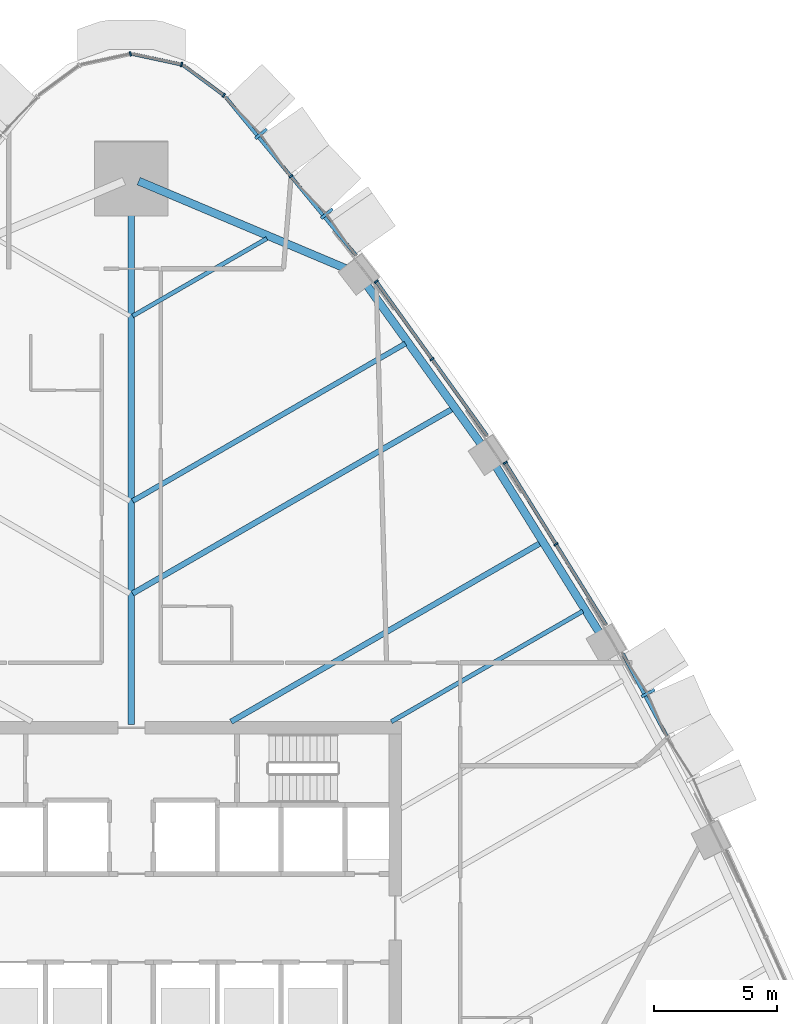
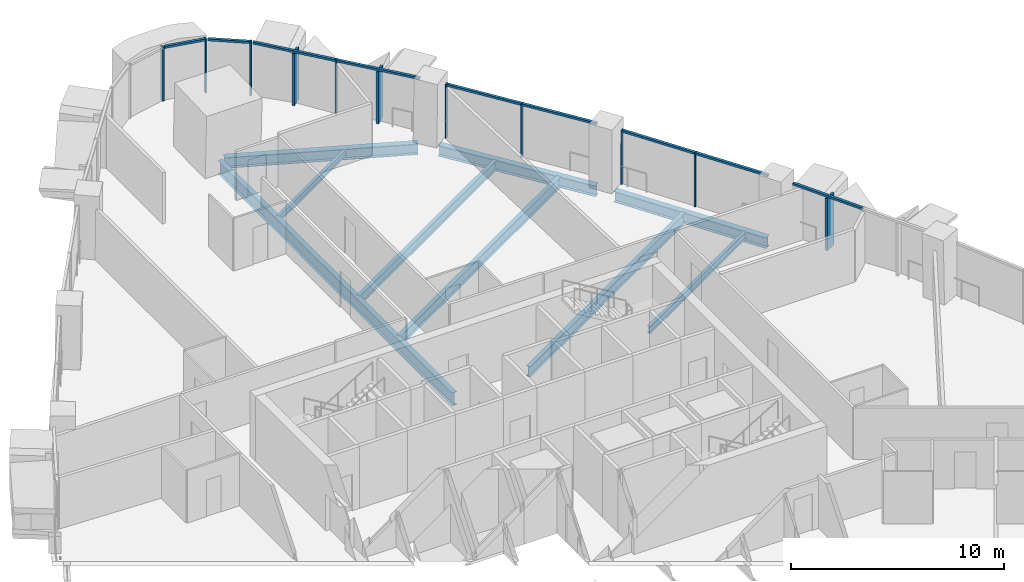
# One storey, part 7 of 18: 20 members, 9 beams, 7 elements without a shape of their own.
"""IFC4 building model written with IfcOpenShell, lengths in metres."""

from ifc_helpers import new_model, si_unit, direction, frame, origin, origin_2d, place, context, subcontext, project, spatial, rectangle, i_section, extrude, material, layer, layer_set, material_profile, profile_set, type_object, element, aggregate, save


model = new_model("IFC4")

# Units and contexts
model_context = context("Model", 3, precision=1e-05, world=origin(), true_north=direction((0.0, 1.0)))
body_context = subcontext(model_context, "Body", "Model", "MODEL_VIEW")
ifc_project = project(units=[si_unit("LENGTHUNIT", "METRE"), si_unit("AREAUNIT", "SQUARE_METRE"), si_unit("VOLUMEUNIT", "CUBIC_METRE"), si_unit("PLANEANGLEUNIT", "RADIAN"), si_unit("MASSUNIT", "GRAM", prefix="KILO")], contexts=[model_context])

# Site, building, storey
site_placement = place(None, origin())
site = spatial("IfcSite", under=ifc_project, at=site_placement, CompositionType="ELEMENT")
building_placement = place(site_placement, origin())
building = spatial("IfcBuilding", under=site, at=building_placement, Name="Sierra Prisma Convention Tower", CompositionType="ELEMENT")
storey_placement = place(building_placement, frame((0.0, 0.0, 85.0)))
storey = spatial("IfcBuildingStorey", under=building, at=storey_placement, Name="L17", CompositionType="ELEMENT", Elevation=85.0)

# Curtain wall, member
ifc_material_1 = material(Name="Aluminium and glass curtain wall", Category="aluminium")
ifc_layer_1 = layer(ifc_material_1, 0.179931640625)
ifc_layer_set_1 = layer_set([ifc_layer_1], Name="CW-2 Faceted crystal curtain wall")
curtain_wall_type_1 = type_object("IfcCurtainWallType", Name="CW-2 Faceted crystal curtain wall", PredefinedType="NOTDEFINED", material=ifc_layer_set_1)
curtain_wall_1_placement = place(storey_placement, origin())
curtain_wall_1 = element("IfcCurtainWall", 1, at=curtain_wall_1_placement, inside=storey, type_object=curtain_wall_type_1, Name="CW-2 NE3 L17", PredefinedType="NOTDEFINED")
ifc_material_2 = material(Name="Aluminium 6063-T6 bronze anodised", Category="aluminium")
ifc_material_profile_1 = material_profile(ifc_material_2, rectangle(XDim=0.1201171875, YDim=0.60009765625, at=origin_2d()), Name="ALU RIDGE BLADE 120x600")
ifc_profile_set_1 = profile_set([ifc_material_profile_1], Name="Aluminium 6063-T6 bronze anodised")
member_type_1 = type_object("IfcMemberType", Name="CW hip bronze", PredefinedType="MULLION", material=ifc_profile_set_1)
member_1_placement = place(storey_placement, frame((21.0517578125, 9.161376953125, 0.0), z_axis=(0.0, 0.0, 1.0), x_axis=(-0.470993707752, 0.882136569505, 0.0)))
member_1 = element("IfcMember", 2, at=member_1_placement, type_object=member_type_1, Name="CW-2 ridge NE3.2", PredefinedType="MULLION", context=body_context, shape_type="SweptSolid", body=[
    extrude(rectangle(XDim=0.1201171875, YDim=0.60009765625, at=origin_2d()), origin(), (0.0, 0.0, 1.0), 2.97998046875),
])

# Curtain wall, members
curtain_wall_2_placement = place(storey_placement, origin())
curtain_wall_2 = element("IfcCurtainWall", 3, at=curtain_wall_2_placement, inside=storey, type_object=curtain_wall_type_1, Name="CW-2 NE6 L17", PredefinedType="NOTDEFINED")
member_2_placement = place(storey_placement, frame((7.966552734375, 28.70068359375, 0.0), z_axis=(0.0, 0.0, 1.0), x_axis=(-0.636157701019, 0.771559057645, 0.0)))
member_2 = element("IfcMember", 4, at=member_2_placement, type_object=member_type_1, Name="CW-2 ridge NE6.1", PredefinedType="MULLION", context=body_context, shape_type="SweptSolid", body=[
    extrude(rectangle(XDim=0.1201171875, YDim=0.60009765625, at=origin_2d()), origin(), (0.0, 0.0, 1.0), 2.97998046875),
])
member_3_placement = place(storey_placement, frame((5.286376953125, 31.951171875, 0.0), z_axis=(0.0, 0.0, 1.0), x_axis=(-0.636157701019, 0.771559057645, 0.0)))
member_3 = element("IfcMember", 5, at=member_3_placement, type_object=member_type_1, Name="CW-2 ridge NE6.2", PredefinedType="MULLION", context=body_context, shape_type="SweptSolid", body=[
    extrude(rectangle(XDim=0.1201171875, YDim=0.60009765625, at=origin_2d()), origin(), (0.0, 0.0, 1.0), 2.97998046875),
])

ifc_material_3 = material(Name="Aluminium and glass curtain wall", Category="aluminium")
ifc_layer_2 = layer(ifc_material_3, 0.179931640625)
ifc_layer_set_2 = layer_set([ifc_layer_2], Name="CW-1 Plain shaft curtain wall")
curtain_wall_type_2 = type_object("IfcCurtainWallType", Name="CW-1 Plain shaft curtain wall", PredefinedType="NOTDEFINED", material=ifc_layer_set_2)
curtain_wall_3_placement = place(storey_placement, origin())
curtain_wall_3 = element("IfcCurtainWall", 6, at=curtain_wall_3_placement, inside=storey, type_object=curtain_wall_type_2, Name="CW-1 NE4 L17", PredefinedType="NOTDEFINED")
ifc_material_4 = material(Name="Aluminium 6063-T6 bronze anodised", Category="aluminium")
ifc_material_profile_2 = material_profile(ifc_material_4, rectangle(XDim=0.179931640625, YDim=0.070068359375, at=origin_2d()), Name="ALU MULLION 70x180")
ifc_profile_set_2 = profile_set([ifc_material_profile_2], Name="Aluminium 6063-T6 bronze anodised")
member_type_2 = type_object("IfcMemberType", Name="CW mullion bronze", PredefinedType="MULLION", material=ifc_profile_set_2)
member_4_placement = place(storey_placement, frame((17.299560546875, 15.229248046875, 0.0), z_axis=(0.0, 0.0, 1.0), x_axis=(-0.848960800688, -0.528455824923, 0.0)))
member_4 = element("IfcMember", 7, at=member_4_placement, type_object=member_type_2, Name="CW-1 mullion NE4.2", PredefinedType="MULLION", context=body_context, shape_type="SweptSolid", body=[
    extrude(rectangle(XDim=0.179931640625, YDim=0.070068359375, at=origin_2d()), origin(), (0.0, 0.0, 1.0), 3.10009765625),
])
member_5_placement = place(storey_placement, frame((15.235107421875, 18.545654296875, 0.0), z_axis=(0.0, 0.0, 1.0), x_axis=(-0.848960800688, -0.528455824923, 0.0)))
member_5 = element("IfcMember", 8, at=member_5_placement, type_object=member_type_2, Name="CW-1 mullion NE4.3", PredefinedType="MULLION", context=body_context, shape_type="SweptSolid", body=[
    extrude(rectangle(XDim=0.179931640625, YDim=0.070068359375, at=origin_2d()), origin(), (0.0, 0.0, 1.0), 3.10009765625),
])

curtain_wall_4_placement = place(storey_placement, origin())
curtain_wall_4 = element("IfcCurtainWall", 9, at=curtain_wall_4_placement, inside=storey, type_object=curtain_wall_type_2, Name="CW-1 NE5 L17", PredefinedType="NOTDEFINED")
member_6_placement = place(storey_placement, frame((12.25146484375, 22.77099609375, 0.0), z_axis=(0.0, 0.0, 1.0), x_axis=(-0.81204745942, -0.583591401281, 0.0)))
member_6 = element("IfcMember", 10, at=member_6_placement, type_object=member_type_2, Name="CW-1 mullion NE5.2", PredefinedType="MULLION", context=body_context, shape_type="SweptSolid", body=[
    extrude(rectangle(XDim=0.179931640625, YDim=0.070068359375, at=origin_2d()), origin(), (0.0, 0.0, 1.0), 3.10009765625),
])
member_7_placement = place(storey_placement, frame((9.980712890625, 25.9306640625, 0.0), z_axis=(0.0, 0.0, 1.0), x_axis=(-0.81204745942, -0.583591401281, 0.0)))
member_7 = element("IfcMember", 11, at=member_7_placement, type_object=member_type_2, Name="CW-1 mullion NE5.3", PredefinedType="MULLION", context=body_context, shape_type="SweptSolid", body=[
    extrude(rectangle(XDim=0.179931640625, YDim=0.070068359375, at=origin_2d()), origin(), (0.0, 0.0, 1.0), 3.10009765625),
])

# Member
member_8_placement = place(storey_placement, frame((6.500732421875, 30.22216796875, 0.0), z_axis=(0.0, 0.0, 1.0), x_axis=(-0.771559057645, -0.636157701019, 0.0)))
member_8 = element("IfcMember", 12, at=member_8_placement, type_object=member_type_2, Name="CW-1 mullion NE6.2", PredefinedType="MULLION", context=body_context, shape_type="SweptSolid", body=[
    extrude(rectangle(XDim=0.179931640625, YDim=0.070068359375, at=origin_2d()), origin(), (0.0, 0.0, 1.0), 3.10009765625),
])

# Curtain wall, member
curtain_wall_5_placement = place(storey_placement, origin())
curtain_wall_5 = element("IfcCurtainWall", 13, at=curtain_wall_5_placement, inside=storey, type_object=curtain_wall_type_2, Name="CW-1 N1 L17", PredefinedType="NOTDEFINED")
member_9_placement = place(storey_placement, frame((3.770263671875, 33.5205078125, 0.0), z_axis=(0.0, 0.0, 1.0), x_axis=(-0.594046488365, -0.804430711536, 0.0)))
member_9 = element("IfcMember", 14, at=member_9_placement, type_object=member_type_2, Name="CW-1 mullion N1.1", PredefinedType="MULLION", context=body_context, shape_type="SweptSolid", body=[
    extrude(rectangle(XDim=0.179931640625, YDim=0.070068359375, at=origin_2d()), origin(), (0.0, 0.0, 1.0), 3.10009765625),
])

curtain_wall_6_placement = place(storey_placement, origin())
curtain_wall_6 = element("IfcCurtainWall", 15, at=curtain_wall_6_placement, inside=storey, type_object=curtain_wall_type_2, Name="CW-1 N2 L17", PredefinedType="NOTDEFINED")
member_10_placement = place(storey_placement, frame((2.049560546875, 34.773193359375, 0.0), z_axis=(0.0, 0.0, 1.0), x_axis=(-0.210441549299, -0.977606441432, 0.0)))
member_10 = element("IfcMember", 16, at=member_10_placement, type_object=member_type_2, Name="CW-1 mullion N2.1", PredefinedType="MULLION", context=body_context, shape_type="SweptSolid", body=[
    extrude(rectangle(XDim=0.179931640625, YDim=0.070068359375, at=origin_2d()), origin(), (0.0, 0.0, 1.0), 3.10009765625),
])

curtain_wall_7_placement = place(storey_placement, origin())
curtain_wall_7 = element("IfcCurtainWall", 17, at=curtain_wall_7_placement, inside=storey, type_object=curtain_wall_type_2, Name="CW-1 N3 L17", PredefinedType="NOTDEFINED")
member_11_placement = place(storey_placement, frame((-0.0341796875, 35.20703125, 0.0), z_axis=(0.0, 0.0, 1.0), x_axis=(0.210441549299, -0.977606441432, 0.0)))
member_11 = element("IfcMember", 18, at=member_11_placement, type_object=member_type_2, Name="CW-1 mullion N3.1", PredefinedType="MULLION", context=body_context, shape_type="SweptSolid", body=[
    extrude(rectangle(XDim=0.179931640625, YDim=0.070068359375, at=origin_2d()), origin(), (0.0, 0.0, 1.0), 3.10009765625),
])
aggregate(curtain_wall_7, [member_11])

# Member
ifc_material_5 = material(Name="Aluminium 6063-T6 bronze anodised", Category="aluminium")
ifc_material_profile_3 = material_profile(ifc_material_5, rectangle(XDim=0.139892578125, YDim=0.1201171875, at=origin_2d()), Name="ALU TRANSOM 120x140")
ifc_profile_set_3 = profile_set([ifc_material_profile_3], Name="Aluminium 6063-T6 bronze anodised")
member_type_3 = type_object("IfcMemberType", Name="CW transom bronze", PredefinedType="USERDEFINED", material=ifc_profile_set_3)
member_12_placement = place(storey_placement, frame((21.822021484375, 7.398193359375, 3.0400390625), z_axis=(-0.470981243839, 0.882143224172, 0.0), x_axis=(-0.882143224172, -0.470981243839, 0.0)))
member_12 = element("IfcMember", 19, at=member_12_placement, type_object=member_type_3, Name="CW-1 transom NE3.2", ObjectType="TRANSOM", PredefinedType="USERDEFINED", context=body_context, shape_type="SweptSolid", body=[
    extrude(rectangle(XDim=0.139892578125, YDim=0.1201171875, at=origin_2d()), origin(), (0.0, 0.0, 1.0), 3.83642578125),
])

aggregate(curtain_wall_1, [member_12, member_1])

member_13_placement = place(storey_placement, frame((19.345458984375, 11.9423828125, 3.0400390625), z_axis=(-0.52843644764, 0.848972862231, 0.0), x_axis=(-0.848972862231, -0.52843644764, 0.0)))
member_13 = element("IfcMember", 20, at=member_13_placement, type_object=member_type_3, Name="CW-1 transom NE4.1", ObjectType="TRANSOM", PredefinedType="USERDEFINED", context=body_context, shape_type="SweptSolid", body=[
    extrude(rectangle(XDim=0.139892578125, YDim=0.1201171875, at=origin_2d()), origin(), (0.0, 0.0, 1.0), 3.83642578125),
])

member_14_placement = place(storey_placement, frame((17.281005859375, 15.2587890625, 3.0400390625), z_axis=(-0.52843644764, 0.848972862231, 0.0), x_axis=(-0.848972862231, -0.52843644764, 0.0)))
member_14 = element("IfcMember", 21, at=member_14_placement, type_object=member_type_3, Name="CW-1 transom NE4.2", ObjectType="TRANSOM", PredefinedType="USERDEFINED", context=body_context, shape_type="SweptSolid", body=[
    extrude(rectangle(XDim=0.139892578125, YDim=0.1201171875, at=origin_2d()), origin(), (0.0, 0.0, 1.0), 3.83642578125),
])

aggregate(curtain_wall_3, [member_4, member_5, member_13, member_14])

member_15_placement = place(storey_placement, frame((14.501953125, 19.6396484375, 3.0400390625), z_axis=(-0.583611033215, 0.812033350245, 0.0), x_axis=(-0.812033350245, -0.583611033215, 0.0)))
member_15 = element("IfcMember", 22, at=member_15_placement, type_object=member_type_3, Name="CW-1 transom NE5.1", ObjectType="TRANSOM", PredefinedType="USERDEFINED", context=body_context, shape_type="SweptSolid", body=[
    extrude(rectangle(XDim=0.139892578125, YDim=0.1201171875, at=origin_2d()), origin(), (0.0, 0.0, 1.0), 3.821044921875),
])

member_16_placement = place(storey_placement, frame((12.23095703125, 22.79931640625, 3.0400390625), z_axis=(-0.583538619855, 0.812085389068, 0.0), x_axis=(-0.812085389068, -0.583538619855, 0.0)))
member_16 = element("IfcMember", 23, at=member_16_placement, type_object=member_type_3, Name="CW-1 transom NE5.2", ObjectType="TRANSOM", PredefinedType="USERDEFINED", context=body_context, shape_type="SweptSolid", body=[
    extrude(rectangle(XDim=0.139892578125, YDim=0.1201171875, at=origin_2d()), origin(), (0.0, 0.0, 1.0), 3.821044921875),
])

aggregate(curtain_wall_4, [member_6, member_7, member_15, member_16])

member_17_placement = place(storey_placement, frame((9.158447265625, 26.99853515625, 3.0400390625), z_axis=(-0.636147118227, 0.771567783135, 0.0), x_axis=(-0.771567783135, -0.636147118227, 0.0)))
member_17 = element("IfcMember", 24, at=member_17_placement, type_object=member_type_3, Name="CW-1 transom NE6.1", ObjectType="TRANSOM", PredefinedType="USERDEFINED", context=body_context, shape_type="SweptSolid", body=[
    extrude(rectangle(XDim=0.139892578125, YDim=0.1201171875, at=origin_2d()), origin(), (0.0, 0.0, 1.0), 4.142822265625),
])

member_18_placement = place(storey_placement, frame((6.478515625, 30.2490234375, 3.0400390625), z_axis=(-0.636182198153, 0.771538858875, 0.0), x_axis=(-0.771538858875, -0.636182198153, 0.0)))
member_18 = element("IfcMember", 25, at=member_18_placement, type_object=member_type_3, Name="CW-1 transom NE6.2", ObjectType="TRANSOM", PredefinedType="USERDEFINED", context=body_context, shape_type="SweptSolid", body=[
    extrude(rectangle(XDim=0.139892578125, YDim=0.1201171875, at=origin_2d()), origin(), (0.0, 0.0, 1.0), 4.14306640625),
])

aggregate(curtain_wall_2, [member_8, member_17, member_2, member_18, member_3])

member_19_placement = place(storey_placement, frame((3.741943359375, 33.541259765625, 3.0400390625), z_axis=(-0.804435971142, 0.594039365979, 0.0), x_axis=(-0.594039365979, -0.804435971142, 0.0)))
member_19 = element("IfcMember", 26, at=member_19_placement, type_object=member_type_3, Name="CW-1 transom N1.1", ObjectType="TRANSOM", PredefinedType="USERDEFINED", context=body_context, shape_type="SweptSolid", body=[
    extrude(rectangle(XDim=0.139892578125, YDim=0.1201171875, at=origin_2d()), origin(), (0.0, 0.0, 1.0), 1.9912109375),
])

aggregate(curtain_wall_5, [member_9, member_19])

member_20_placement = place(storey_placement, frame((2.015380859375, 34.780517578125, 3.0400390625), z_axis=(-0.977599246092, 0.210474972481, 0.0), x_axis=(-0.210474972481, -0.977599246092, 0.0)))
member_20 = element("IfcMember", 27, at=member_20_placement, type_object=member_type_3, Name="CW-1 transom N2.1", ObjectType="TRANSOM", PredefinedType="USERDEFINED", context=body_context, shape_type="SweptSolid", body=[
    extrude(rectangle(XDim=0.139892578125, YDim=0.1201171875, at=origin_2d()), origin(), (0.0, 0.0, 1.0), 1.99169921875),
])

aggregate(curtain_wall_6, [member_10, member_20])

# Beams
ifc_material_6 = material(Name="Steel ASTM A992 Gr 50", Category="steel")
ifc_material_profile_4 = material_profile(ifc_material_6, i_section(OverallWidth=0.172119140625, OverallDepth=0.35791015625, WebThickness=0.0078125, FlangeThickness=0.01318359375, at=origin_2d()), Name="W360x57")
ifc_profile_set_4 = profile_set([ifc_material_profile_4], Name="Steel ASTM A992 Gr 50")
beam_type_1 = type_object("IfcBeamType", Name="Floor joist W360x57", PredefinedType="JOIST", material=ifc_profile_set_4)
beam_1_placement = place(storey_placement, frame((5.522705078125, 27.685546875, -0.3291015625), z_axis=(-0.866024657783, -0.50000129211, 0.0), x_axis=(0.50000129211, -0.866024657783, 0.0)))
element("IfcBeam", 28, at=beam_1_placement, inside=storey, type_object=beam_type_1, Name="Floor joist L17 NE15", PredefinedType="JOIST", context=body_context, shape_type="SweptSolid", body=[
    extrude(i_section(OverallWidth=0.172119140625, OverallDepth=0.35791015625, WebThickness=0.0078125, FlangeThickness=0.01318359375, at=origin_2d()), origin(), (0.0, 0.0, 1.0), 6.31591796875),
])
ifc_material_7 = material(Name="Steel ASTM A992 Gr 50", Category="steel")
ifc_material_profile_5 = material_profile(ifc_material_7, i_section(OverallWidth=0.177978515625, OverallDepth=0.406982421875, WebThickness=0.0078125, FlangeThickness=0.0126953125, at=origin_2d()), Name="W410x60")
ifc_profile_set_5 = profile_set([ifc_material_profile_5], Name="Steel ASTM A992 Gr 50")
beam_type_2 = type_object("IfcBeamType", Name="Floor joist W410x60", PredefinedType="JOIST", material=ifc_profile_set_5)
beam_2_placement = place(storey_placement, frame((18.392822265625, 12.50341796875, -0.353515625), z_axis=(-0.866029407303, -0.499993065638, 0.0), x_axis=(0.499993065638, -0.866029407303, 0.0)))
element("IfcBeam", 29, at=beam_2_placement, inside=storey, type_object=beam_type_2, Name="Floor joist L17 NE09", PredefinedType="JOIST", context=body_context, shape_type="SweptSolid", body=[
    extrude(i_section(OverallWidth=0.177978515625, OverallDepth=0.406982421875, WebThickness=0.0078125, FlangeThickness=0.0126953125, at=origin_2d()), origin(), (0.0, 0.0, 1.0), 9.007080078125),
])
ifc_material_8 = material(Name="Steel ASTM A992 Gr 50", Category="steel")
ifc_material_profile_6 = material_profile(ifc_material_8, i_section(OverallWidth=0.208984375, OverallDepth=0.532958984375, WebThickness=0.01025390625, FlangeThickness=0.015625, at=origin_2d()), Name="W530x92")
ifc_profile_set_6 = profile_set([ifc_material_profile_6], Name="Steel ASTM A992 Gr 50")
beam_type_3 = type_object("IfcBeamType", Name="Floor joist W530x92", PredefinedType="JOIST", material=ifc_profile_set_6)
beam_3_placement = place(storey_placement, frame((11.16455078125, 23.4052734375, -0.41650390625), z_axis=(-0.866024932504, -0.500000816281, 0.0), x_axis=(0.500000816281, -0.866024932504, 0.0)))
element("IfcBeam", 30, at=beam_3_placement, inside=storey, type_object=beam_type_3, Name="Floor joist L17 NE13", PredefinedType="JOIST", context=body_context, shape_type="SweptSolid", body=[
    extrude(i_section(OverallWidth=0.208984375, OverallDepth=0.532958984375, WebThickness=0.01025390625, FlangeThickness=0.015625, at=origin_2d()), origin(), (0.0, 0.0, 1.0), 12.83056640625),
])
ifc_material_9 = material(Name="Steel ASTM A992 Gr 50", Category="steel")
ifc_material_profile_7 = material_profile(ifc_material_9, i_section(OverallWidth=0.22802734375, OverallDepth=0.60302734375, WebThickness=0.010498046875, FlangeThickness=0.014892578125, at=origin_2d()), Name="W610x101")
ifc_profile_set_7 = profile_set([ifc_material_profile_7], Name="Steel ASTM A992 Gr 50")
beam_type_4 = type_object("IfcBeamType", Name="Floor joist W610x101", PredefinedType="JOIST", material=ifc_profile_set_7)
beam_4_placement = place(storey_placement, frame((16.6669921875, 15.27587890625, -0.451416015625), z_axis=(-0.866022978719, -0.500004200313, 0.0), x_axis=(0.500004200313, -0.866022978719, 0.0)))
element("IfcBeam", 31, at=beam_4_placement, inside=storey, type_object=beam_type_4, Name="Floor joist L17 NE10", PredefinedType="JOIST", context=body_context, shape_type="SweptSolid", body=[
    extrude(i_section(OverallWidth=0.22802734375, OverallDepth=0.60302734375, WebThickness=0.010498046875, FlangeThickness=0.014892578125, at=origin_2d()), origin(), (0.0, 0.0, 1.0), 14.551513671875),
])
beam_5_placement = place(storey_placement, frame((13.07861328125, 20.74169921875, -0.451416015625), z_axis=(-0.866020968072, -0.500007682801, 0.0), x_axis=(0.500007682801, -0.866020968072, 0.0)))
element("IfcBeam", 32, at=beam_5_placement, inside=storey, type_object=beam_type_4, Name="Floor joist L17 NE12", PredefinedType="JOIST", context=body_context, shape_type="SweptSolid", body=[
    extrude(i_section(OverallWidth=0.22802734375, OverallDepth=0.60302734375, WebThickness=0.010498046875, FlangeThickness=0.014892578125, at=origin_2d()), origin(), (0.0, 0.0, 1.0), 15.040771484375),
])
ifc_material_10 = material(Name="Steel ASTM A992 Gr 50", Category="steel")
ifc_material_profile_8 = material_profile(ifc_material_10, i_section(OverallWidth=0.264892578125, OverallDepth=0.7529296875, WebThickness=0.01318359375, FlangeThickness=0.01708984375, at=origin_2d()), Name="W760x147")
ifc_profile_set_8 = profile_set([ifc_material_profile_8], Name="Steel ASTM A992 Gr 50")
beam_type_5 = type_object("IfcBeamType", Name="Radial girder W760x147", PredefinedType="BEAM", material=ifc_profile_set_8)
beam_6_placement = place(storey_placement, frame((0.0, 29.85009765625, -0.526611328125), z_axis=(0.0, -1.0, 0.0), x_axis=(1.0, 0.0, 0.0)))
element("IfcBeam", 33, at=beam_6_placement, inside=storey, type_object=beam_type_5, Name="Radial girder L17 N", PredefinedType="BEAM", context=body_context, shape_type="SweptSolid", body=[
    extrude(i_section(OverallWidth=0.264892578125, OverallDepth=0.7529296875, WebThickness=0.01318359375, FlangeThickness=0.01708984375, at=origin_2d()), origin(), (0.0, 0.0, 1.0), 21.97021484375),
])
ifc_material_11 = material(Name="Steel ASTM A992 Gr 50", Category="steel")
ifc_material_profile_9 = material_profile(ifc_material_11, i_section(OverallWidth=0.324951171875, OverallDepth=0.615966796875, WebThickness=0.013916015625, FlangeThickness=0.021484375, at=origin_2d()), Name="W610x174")
ifc_profile_set_9 = profile_set([ifc_material_profile_9], Name="Steel ASTM A992 Gr 50")
beam_type_6 = type_object("IfcBeamType", Name="Spandrel beam W610x174", PredefinedType="BEAM", material=ifc_profile_set_9)
for number, where, z_axis, x_axis, name in (
    (34, (19.099365234375, 11.581298828125, -0.4580078125), (-0.52843645252, 0.848972859194, 0.0), (-0.848972859194, -0.52843645252, 0.0), "Spandrel L17-10"),
    (35, (14.2802734375, 19.262939453125, -0.4580078125), (-0.58358827719, 0.812049704591, 0.0), (-0.812049704591, -0.58358827719, 0.0), "Spandrel L17-11"),
):
    element("IfcBeam", number, at=place(storey_placement, frame(where, z_axis=z_axis, x_axis=x_axis)), inside=storey, type_object=beam_type_6, Name=name, PredefinedType="BEAM", context=body_context, shape_type="SweptSolid", body=[
        extrude(i_section(OverallWidth=0.324951171875, OverallDepth=0.615966796875, WebThickness=0.013916015625, FlangeThickness=0.021484375, at=origin_2d()), origin(), (0.0, 0.0, 1.0), 8.108642578125),
    ])
beam_7_placement = place(storey_placement, frame((8.7431640625, 26.458984375, -0.4580078125), z_axis=(-0.921265894737, 0.388933350581, 0.0), x_axis=(-0.388933350581, -0.921265894737, 0.0)))
element("IfcBeam", 36, at=beam_7_placement, inside=storey, type_object=beam_type_6, Name="Spandrel L17-12", PredefinedType="BEAM", context=body_context, shape_type="SweptSolid", body=[
    extrude(i_section(OverallWidth=0.324951171875, OverallDepth=0.615966796875, WebThickness=0.013916015625, FlangeThickness=0.021484375, at=origin_2d()), origin(), (0.0, 0.0, 1.0), 9.164794921875),
])

save(model, "model.ifc")
